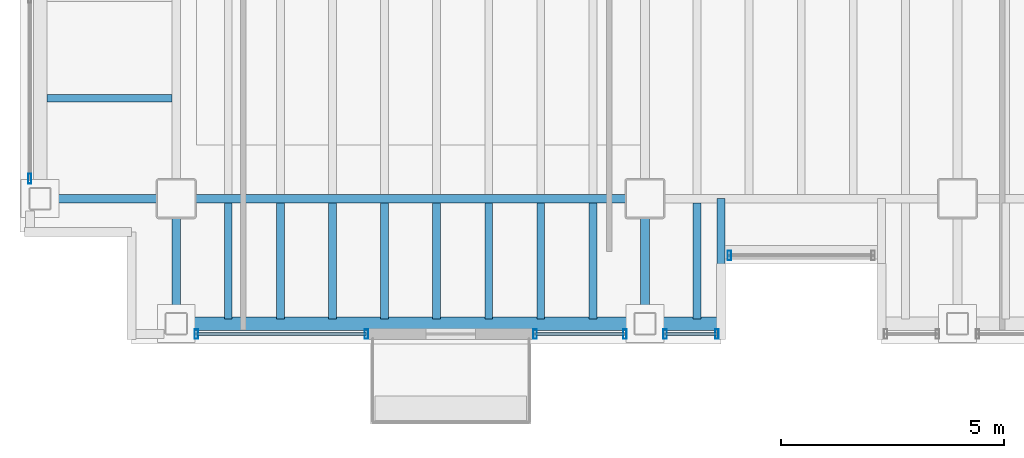
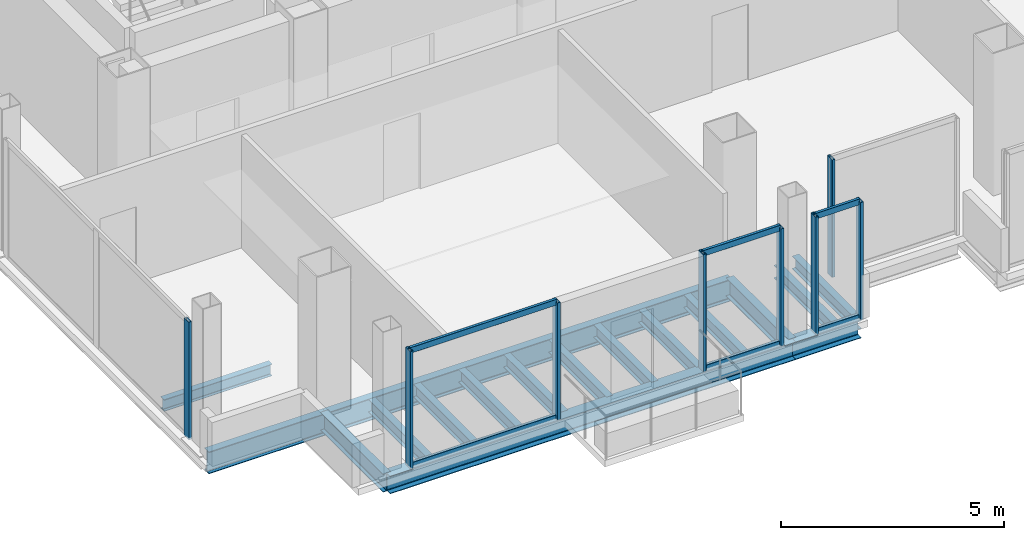
# One storey, part 2 of 15: 17 beams, 14 members, 5 elements without a shape of their own.
"""IFC4 building model written with IfcOpenShell, lengths in metres."""

from ifc_helpers import new_model, si_unit, direction, frame, origin, origin_2d, place, context, subcontext, project, spatial, hollow_rectangle, i_section, extrude, material, material_profile, profile_set, type_object, element, aggregate, save


model = new_model("IFC4")

# Units and contexts
model_context = context("Model", 3, precision=1e-05, world=origin(), true_north=direction((0.0, 1.0)))
body_context = subcontext(model_context, "Body", "Model", "MODEL_VIEW")
ifc_project = project(units=[si_unit("LENGTHUNIT", "METRE"), si_unit("AREAUNIT", "SQUARE_METRE"), si_unit("VOLUMEUNIT", "CUBIC_METRE"), si_unit("PLANEANGLEUNIT", "RADIAN"), si_unit("MASSUNIT", "GRAM", prefix="KILO")], contexts=[model_context])

# Site, building, storey
site_placement = place(None, origin())
site = spatial("IfcSite", under=ifc_project, at=site_placement, CompositionType="ELEMENT")
building_placement = place(site_placement, origin())
building = spatial("IfcBuilding", under=site, at=building_placement, Name="Noeulbin Bourse Tower", CompositionType="ELEMENT")
storey_placement = place(building_placement, frame((0.0, 0.0, 189.0)))
storey = spatial("IfcBuildingStorey", under=building, at=storey_placement, Name="L47", CompositionType="ELEMENT", Elevation=189.0)

# Beams
ifc_material_1 = material(Name="Steel S355", Category="steel")
ifc_material_profile_1 = material_profile(ifc_material_1, i_section(OverallWidth=0.199951171875, OverallDepth=0.5, WebThickness=0.010009765625, FlangeThickness=0.01611328125, FilletRadius=0.02001953125, at=origin_2d()), Name="H-500x200x10x16", Category="LoadBearing")
ifc_profile_set_1 = profile_set([ifc_material_profile_1], Name="Steel S355")
beam_type_1 = type_object("IfcBeamType", Name="BM-GRD-500", PredefinedType="USERDEFINED", material=ifc_profile_set_1)
for number, where, z_axis, x_axis, name in (
    (1, (13.5, 17.199951171875, -0.429931640625), (0.0, 1.0, 0.0), (-1.0, 0.0, 0.0), "Tower Primary Girder NS L47-1.1"),
    (2, (24.0, 17.199951171875, -0.429931640625), (0.0, 1.0, 0.0), (-1.0, 0.0, 0.0), "Tower Primary Girder NS L47-2.1"),
):
    element("IfcBeam", number, at=place(storey_placement, frame(where, z_axis=z_axis, x_axis=x_axis)), inside=storey, type_object=beam_type_1, Name=name, ObjectType="GIRDER", PredefinedType="USERDEFINED", context=body_context, shape_type="SweptSolid", body=[
        extrude(i_section(OverallWidth=0.199951171875, OverallDepth=0.5, WebThickness=0.010009765625, FlangeThickness=0.01611328125, FilletRadius=0.02001953125, at=origin_2d()), origin(), (0.0, 0.0, 1.0), 2.800048828125),
    ])
ifc_material_profile_2 = material_profile(ifc_material_1, i_section(OverallWidth=0.199951171875, OverallDepth=0.60009765625, WebThickness=0.010986328125, FlangeThickness=0.01708984375, FilletRadius=0.02197265625, at=origin_2d()), Name="H-600x200x11x17", Category="LoadBearing")
ifc_profile_set_2 = profile_set([ifc_material_profile_2], Name="Steel S355")
beam_type_2 = type_object("IfcBeamType", Name="BM-GRD-600", PredefinedType="USERDEFINED", material=ifc_profile_set_2)
beam_1_placement = place(storey_placement, frame((10.449951171875, 20.0, -0.47998046875), z_axis=(1.0, 0.0, 0.0), x_axis=(0.0, 1.0, 0.0)))
element("IfcBeam", 3, at=beam_1_placement, inside=storey, type_object=beam_type_2, Name="Tower Primary Girder EW L47-1.1", ObjectType="GIRDER", PredefinedType="USERDEFINED", context=body_context, shape_type="SweptSolid", body=[
    extrude(i_section(OverallWidth=0.199951171875, OverallDepth=0.60009765625, WebThickness=0.010986328125, FlangeThickness=0.01708984375, FilletRadius=0.02197265625, at=origin_2d()), origin(), (0.0, 0.0, 1.0), 3.050048828125),
])
beam_2_placement = place(storey_placement, frame((13.5, 20.0, -0.47998046875), z_axis=(1.0, 0.0, 0.0), x_axis=(0.0, 1.0, 0.0)))
element("IfcBeam", 4, at=beam_2_placement, inside=storey, type_object=beam_type_2, Name="Tower Primary Girder EW L47-1.2", ObjectType="GIRDER", PredefinedType="USERDEFINED", context=body_context, shape_type="SweptSolid", body=[
    extrude(i_section(OverallWidth=0.199951171875, OverallDepth=0.60009765625, WebThickness=0.010986328125, FlangeThickness=0.01708984375, FilletRadius=0.02197265625, at=origin_2d()), origin(), (0.0, 0.0, 1.0), 10.5),
])
ifc_material_profile_3 = material_profile(ifc_material_1, i_section(OverallWidth=0.159912109375, OverallDepth=0.320068359375, WebThickness=0.006591796875, FlangeThickness=0.010009765625, FilletRadius=0.012939453125, at=origin_2d()), Name="H-320x160x6.5x10", Category="LoadBearing")
ifc_profile_set_3 = profile_set([ifc_material_profile_3], Name="Steel S355")
beam_type_3 = type_object("IfcBeamType", Name="BM-JST-320", PredefinedType="JOIST", material=ifc_profile_set_3)
beam_3_placement = place(storey_placement, frame((10.60009765625, 22.25, -0.340087890625), z_axis=(1.0, 0.0, 0.0), x_axis=(0.0, 1.0, 0.0)))
element("IfcBeam", 5, at=beam_3_placement, inside=storey, type_object=beam_type_3, Name="Wing Composite Joist L47-W67", PredefinedType="JOIST", context=body_context, shape_type="SweptSolid", body=[
    extrude(i_section(OverallWidth=0.159912109375, OverallDepth=0.320068359375, WebThickness=0.006591796875, FlangeThickness=0.010009765625, FilletRadius=0.012939453125, at=origin_2d()), origin(), (0.0, 0.0, 1.0), 2.7998046875),
])
ifc_material_profile_4 = material_profile(ifc_material_1, i_section(OverallWidth=0.175048828125, OverallDepth=0.35009765625, WebThickness=0.007080078125, FlangeThickness=0.010986328125, FilletRadius=0.013916015625, at=origin_2d()), Name="H-350x175x7x11", Category="LoadBearing")
ifc_profile_set_4 = profile_set([ifc_material_profile_4], Name="Steel S355")
beam_type_4 = type_object("IfcBeamType", Name="BM-JST-350", PredefinedType="JOIST", material=ifc_profile_set_4)
beam_4_placement = place(storey_placement, frame((25.699951171875, 17.199951171875, -0.35498046875), z_axis=(0.0, 1.0, 0.0), x_axis=(-1.0, 0.0, 0.0)))
element("IfcBeam", 6, at=beam_4_placement, inside=storey, type_object=beam_type_4, Name="BM-L47-SRT-W", PredefinedType="JOIST", context=body_context, shape_type="SweptSolid", body=[
    extrude(i_section(OverallWidth=0.175048828125, OverallDepth=0.35009765625, WebThickness=0.007080078125, FlangeThickness=0.010986328125, FilletRadius=0.013916015625, at=origin_2d()), origin(), (0.0, 0.0, 1.0), 2.800048828125),
])
for number, where, z_axis, x_axis, name in (
    (7, (14.666748046875, 17.300048828125, -0.35498046875), (0.0, 1.0, 0.0), (-1.0, 0.0, 0.0), "Tower Composite Joist L47-01"),
    (8, (15.833251953125, 17.300048828125, -0.35498046875), (0.0, 1.0, 0.0), (-1.0, 0.0, 0.0), "Tower Composite Joist L47-04"),
    (9, (17.0, 17.300048828125, -0.35498046875), (0.0, 1.0, 0.0), (-1.0, 0.0, 0.0), "Tower Composite Joist L47-07"),
    (10, (18.166748046875, 17.300048828125, -0.35498046875), (0.0, 1.0, 0.0), (-1.0, 0.0, 0.0), "Tower Composite Joist L47-10"),
    (11, (19.333251953125, 17.300048828125, -0.35498046875), (0.0, 1.0, 0.0), (-1.0, 0.0, 0.0), "Tower Composite Joist L47-13"),
    (12, (20.5, 17.300048828125, -0.35498046875), (0.0, 1.0, 0.0), (-1.0, 0.0, 0.0), "Tower Composite Joist L47-16"),
    (13, (21.666748046875, 17.300048828125, -0.35498046875), (0.0, 1.0, 0.0), (-1.0, 0.0, 0.0), "Tower Composite Joist L47-19"),
    (14, (22.833251953125, 17.300048828125, -0.35498046875), (0.0, 1.0, 0.0), (-1.0, 0.0, 0.0), "Tower Composite Joist L47-22"),
    (15, (25.166748046875, 17.300048828125, -0.35498046875), (0.0, 1.0, 0.0), (-1.0, 0.0, 0.0), "Tower Composite Joist L47-25"),
):
    element("IfcBeam", number, at=place(storey_placement, frame(where, z_axis=z_axis, x_axis=x_axis)), inside=storey, type_object=beam_type_4, Name=name, PredefinedType="JOIST", context=body_context, shape_type="SweptSolid", body=[
        extrude(i_section(OverallWidth=0.175048828125, OverallDepth=0.35009765625, WebThickness=0.007080078125, FlangeThickness=0.010986328125, FilletRadius=0.013916015625, at=origin_2d()), origin(), (0.0, 0.0, 1.0), 2.599853515625),
    ])
ifc_material_profile_5 = material_profile(ifc_material_1, i_section(OverallWidth=0.300048828125, OverallDepth=0.488037109375, WebThickness=0.010986328125, FlangeThickness=0.01806640625, FilletRadius=0.02197265625, at=origin_2d()), Name="H-488x300x11x18", Category="LoadBearing")
ifc_profile_set_5 = profile_set([ifc_material_profile_5], Name="Steel S355")
beam_type_5 = type_object("IfcBeamType", Name="BM-SPN-488", PredefinedType="SPANDREL", material=ifc_profile_set_5)
beam_5_placement = place(storey_placement, frame((13.5, 17.199951171875, -0.424072265625), z_axis=(1.0, 0.0, 0.0), x_axis=(0.0, 1.0, 0.0)))
element("IfcBeam", 16, at=beam_5_placement, inside=storey, type_object=beam_type_5, Name="South Spandrel L47-1", PredefinedType="SPANDREL", context=body_context, shape_type="SweptSolid", body=[
    extrude(i_section(OverallWidth=0.300048828125, OverallDepth=0.488037109375, WebThickness=0.010986328125, FlangeThickness=0.01806640625, FilletRadius=0.02197265625, at=origin_2d()), origin(), (0.0, 0.0, 1.0), 10.5),
])
beam_6_placement = place(storey_placement, frame((24.0, 17.199951171875, -0.424072265625), z_axis=(1.0, 0.0, 0.0), x_axis=(0.0, 1.0, 0.0)))
element("IfcBeam", 17, at=beam_6_placement, inside=storey, type_object=beam_type_5, Name="South Spandrel L47-2A", PredefinedType="SPANDREL", context=body_context, shape_type="SweptSolid", body=[
    extrude(i_section(OverallWidth=0.300048828125, OverallDepth=0.488037109375, WebThickness=0.010986328125, FlangeThickness=0.01806640625, FilletRadius=0.02197265625, at=origin_2d()), origin(), (0.0, 0.0, 1.0), 1.699951171875),
])

# Curtain wall, member
ifc_material_2 = material(Name="Dark Tinted Triple Glazing", Category="glass")
curtain_wall_type = type_object("IfcCurtainWallType", Name="CW-SYS-3", PredefinedType="NOTDEFINED", material=ifc_material_2)
curtain_wall_1_placement = place(storey_placement, origin())
curtain_wall_1 = element("IfcCurtainWall", 18, at=curtain_wall_1_placement, inside=storey, type_object=curtain_wall_type, Name="Unitised Curtain Wall CW-L47-SREC", PredefinedType="NOTDEFINED")
ifc_material_3 = material(Name="Anodised Aluminium 6063-T6", Category="aluminium")
ifc_material_profile_6 = material_profile(ifc_material_3, hollow_rectangle(XDim=0.074951171875, YDim=0.219970703125, WallThickness=0.0048828125, InnerFilletRadius=0.00244140625, OuterFilletRadius=0.0048828125, at=origin_2d()), Name="ALU-MULL-75x220x5", Category="LoadBearing")
ifc_profile_set_6 = profile_set([ifc_material_profile_6], Name="Anodised Aluminium 6063-T6")
member_type_1 = type_object("IfcMemberType", Name="CW-SYS-3-MUL", PredefinedType="MULLION", material=ifc_profile_set_6)
member_1_placement = place(storey_placement, frame((25.889892578125, 18.72998046875, -0.02001953125), z_axis=(0.0, 0.0, 1.0), x_axis=(1.0, 0.0, 0.0)))
member_1 = element("IfcMember", 19, at=member_1_placement, type_object=member_type_1, Name="Curtain Wall Mullion CW-L47-SREC-M00", PredefinedType="MULLION", context=body_context, shape_type="SweptSolid", body=[
    extrude(hollow_rectangle(XDim=0.074951171875, YDim=0.219970703125, WallThickness=0.0048828125, InnerFilletRadius=0.00244140625, OuterFilletRadius=0.0048828125, at=origin_2d()), origin(), (0.0, 0.0, 1.0), 3.219970703125),
])
aggregate(curtain_wall_1, [member_1])

# Curtain wall, members
curtain_wall_2_placement = place(storey_placement, origin())
curtain_wall_2 = element("IfcCurtainWall", 20, at=curtain_wall_2_placement, inside=storey, type_object=curtain_wall_type, Name="Unitised Curtain Wall CW-L47-S1", PredefinedType="NOTDEFINED")
member_2_placement = place(storey_placement, frame((13.949951171875, 16.969970703125, -0.02001953125), z_axis=(0.0, 0.0, 1.0), x_axis=(1.0, 0.0, 0.0)))
member_2 = element("IfcMember", 21, at=member_2_placement, type_object=member_type_1, Name="Curtain Wall Mullion CW-L47-S1-M00", PredefinedType="MULLION", context=body_context, shape_type="SweptSolid", body=[
    extrude(hollow_rectangle(XDim=0.074951171875, YDim=0.219970703125, WallThickness=0.0048828125, InnerFilletRadius=0.00244140625, OuterFilletRadius=0.0048828125, at=origin_2d()), origin(), (0.0, 0.0, 1.0), 3.219970703125),
])
member_3_placement = place(storey_placement, frame((17.760009765625, 16.969970703125, -0.02001953125), z_axis=(0.0, 0.0, 1.0), x_axis=(1.0, 0.0, 0.0)))
member_3 = element("IfcMember", 22, at=member_3_placement, type_object=member_type_1, Name="Curtain Wall Mullion CW-L47-S1-M01", PredefinedType="MULLION", context=body_context, shape_type="SweptSolid", body=[
    extrude(hollow_rectangle(XDim=0.074951171875, YDim=0.219970703125, WallThickness=0.0048828125, InnerFilletRadius=0.00244140625, OuterFilletRadius=0.0048828125, at=origin_2d()), origin(), (0.0, 0.0, 1.0), 3.219970703125),
])

curtain_wall_3_placement = place(storey_placement, origin())
curtain_wall_3 = element("IfcCurtainWall", 23, at=curtain_wall_3_placement, inside=storey, type_object=curtain_wall_type, Name="Unitised Curtain Wall CW-L47-S2-S1", PredefinedType="NOTDEFINED")
member_4_placement = place(storey_placement, frame((21.5400390625, 16.969970703125, -0.02001953125), z_axis=(0.0, 0.0, 1.0), x_axis=(1.0, 0.0, 0.0)))
member_4 = element("IfcMember", 24, at=member_4_placement, type_object=member_type_1, Name="Curtain Wall Mullion CW-L47-S2-S1-M00", PredefinedType="MULLION", context=body_context, shape_type="SweptSolid", body=[
    extrude(hollow_rectangle(XDim=0.074951171875, YDim=0.219970703125, WallThickness=0.0048828125, InnerFilletRadius=0.00244140625, OuterFilletRadius=0.0048828125, at=origin_2d()), origin(), (0.0, 0.0, 1.0), 3.219970703125),
])
member_5_placement = place(storey_placement, frame((23.550048828125, 16.969970703125, -0.02001953125), z_axis=(0.0, 0.0, 1.0), x_axis=(1.0, 0.0, 0.0)))
member_5 = element("IfcMember", 25, at=member_5_placement, type_object=member_type_1, Name="Curtain Wall Mullion CW-L47-S2-S1-M01", PredefinedType="MULLION", context=body_context, shape_type="SweptSolid", body=[
    extrude(hollow_rectangle(XDim=0.074951171875, YDim=0.219970703125, WallThickness=0.0048828125, InnerFilletRadius=0.00244140625, OuterFilletRadius=0.0048828125, at=origin_2d()), origin(), (0.0, 0.0, 1.0), 3.219970703125),
])

curtain_wall_4_placement = place(storey_placement, origin())
curtain_wall_4 = element("IfcCurtainWall", 26, at=curtain_wall_4_placement, inside=storey, type_object=curtain_wall_type, Name="Unitised Curtain Wall CW-L47-S2-S2", PredefinedType="NOTDEFINED")
member_6_placement = place(storey_placement, frame((24.449951171875, 16.969970703125, -0.02001953125), z_axis=(0.0, 0.0, 1.0), x_axis=(1.0, 0.0, 0.0)))
member_6 = element("IfcMember", 27, at=member_6_placement, type_object=member_type_1, Name="Curtain Wall Mullion CW-L47-S2-S2-M00", PredefinedType="MULLION", context=body_context, shape_type="SweptSolid", body=[
    extrude(hollow_rectangle(XDim=0.074951171875, YDim=0.219970703125, WallThickness=0.0048828125, InnerFilletRadius=0.00244140625, OuterFilletRadius=0.0048828125, at=origin_2d()), origin(), (0.0, 0.0, 1.0), 3.219970703125),
])
member_7_placement = place(storey_placement, frame((25.610107421875, 16.969970703125, -0.02001953125), z_axis=(0.0, 0.0, 1.0), x_axis=(1.0, 0.0, 0.0)))
member_7 = element("IfcMember", 28, at=member_7_placement, type_object=member_type_1, Name="Curtain Wall Mullion CW-L47-S2-S2-M01", PredefinedType="MULLION", context=body_context, shape_type="SweptSolid", body=[
    extrude(hollow_rectangle(XDim=0.074951171875, YDim=0.219970703125, WallThickness=0.0048828125, InnerFilletRadius=0.00244140625, OuterFilletRadius=0.0048828125, at=origin_2d()), origin(), (0.0, 0.0, 1.0), 3.219970703125),
])

# Curtain wall, member
curtain_wall_5_placement = place(storey_placement, origin())
curtain_wall_5 = element("IfcCurtainWall", 29, at=curtain_wall_5_placement, inside=storey, type_object=curtain_wall_type, Name="Unitised Curtain Wall CW-L47-W-S1", PredefinedType="NOTDEFINED")
member_8_placement = place(storey_placement, frame((10.219970703125, 20.449951171875, -0.02001953125), z_axis=(0.0, 0.0, 1.0), x_axis=(1.0, 0.0, 0.0)))
member_8 = element("IfcMember", 30, at=member_8_placement, type_object=member_type_1, Name="Curtain Wall Mullion CW-L47-W-S1-M00", PredefinedType="MULLION", context=body_context, shape_type="SweptSolid", body=[
    extrude(hollow_rectangle(XDim=0.074951171875, YDim=0.219970703125, WallThickness=0.0048828125, InnerFilletRadius=0.00244140625, OuterFilletRadius=0.0048828125, at=origin_2d()), origin(), (0.0, 0.0, 1.0), 3.219970703125),
])
aggregate(curtain_wall_5, [member_8])

# Member
ifc_material_profile_7 = material_profile(ifc_material_3, hollow_rectangle(XDim=0.074951171875, YDim=0.159912109375, WallThickness=0.0048828125, InnerFilletRadius=0.00244140625, OuterFilletRadius=0.0048828125, at=origin_2d()), Name="ALU-TRAN-75x160x5", Category="LoadBearing")
ifc_profile_set_7 = profile_set([ifc_material_profile_7], Name="Anodised Aluminium 6063-T6")
member_type_2 = type_object("IfcMemberType", Name="CW-SYS-3-TRN", PredefinedType="USERDEFINED", material=ifc_profile_set_7)
member_9_placement = place(storey_placement, frame((13.9599609375, 16.969970703125, 0.010009765625), z_axis=(1.0, 0.0, 0.0), x_axis=(0.0, 1.0, 0.0)))
member_9 = element("IfcMember", 31, at=member_9_placement, type_object=member_type_2, Name="Curtain Wall Transom CW-L47-S1-T00", ObjectType="TRANSOM", PredefinedType="USERDEFINED", context=body_context, shape_type="SweptSolid", body=[
    extrude(hollow_rectangle(XDim=0.074951171875, YDim=0.159912109375, WallThickness=0.0048828125, InnerFilletRadius=0.00244140625, OuterFilletRadius=0.0048828125, at=origin_2d()), origin(), (0.0, 0.0, 1.0), 3.7900390625),
])

member_10_placement = place(storey_placement, frame((13.9599609375, 16.969970703125, 3.169921875), z_axis=(1.0, 0.0, 0.0), x_axis=(0.0, 1.0, 0.0)))
member_10 = element("IfcMember", 32, at=member_10_placement, type_object=member_type_2, Name="Curtain Wall Transom CW-L47-S1-T01", ObjectType="TRANSOM", PredefinedType="USERDEFINED", context=body_context, shape_type="SweptSolid", body=[
    extrude(hollow_rectangle(XDim=0.074951171875, YDim=0.159912109375, WallThickness=0.0048828125, InnerFilletRadius=0.00244140625, OuterFilletRadius=0.0048828125, at=origin_2d()), origin(), (0.0, 0.0, 1.0), 3.7900390625),
])

aggregate(curtain_wall_2, [member_2, member_3, member_9, member_10])

member_11_placement = place(storey_placement, frame((21.550048828125, 16.969970703125, 0.010009765625), z_axis=(1.0, 0.0, 0.0), x_axis=(0.0, 1.0, 0.0)))
member_11 = element("IfcMember", 33, at=member_11_placement, type_object=member_type_2, Name="Curtain Wall Transom CW-L47-S2-S1-T00", ObjectType="TRANSOM", PredefinedType="USERDEFINED", context=body_context, shape_type="SweptSolid", body=[
    extrude(hollow_rectangle(XDim=0.074951171875, YDim=0.159912109375, WallThickness=0.0048828125, InnerFilletRadius=0.00244140625, OuterFilletRadius=0.0048828125, at=origin_2d()), origin(), (0.0, 0.0, 1.0), 1.989990234375),
])

member_12_placement = place(storey_placement, frame((21.550048828125, 16.969970703125, 3.169921875), z_axis=(1.0, 0.0, 0.0), x_axis=(0.0, 1.0, 0.0)))
member_12 = element("IfcMember", 34, at=member_12_placement, type_object=member_type_2, Name="Curtain Wall Transom CW-L47-S2-S1-T01", ObjectType="TRANSOM", PredefinedType="USERDEFINED", context=body_context, shape_type="SweptSolid", body=[
    extrude(hollow_rectangle(XDim=0.074951171875, YDim=0.159912109375, WallThickness=0.0048828125, InnerFilletRadius=0.00244140625, OuterFilletRadius=0.0048828125, at=origin_2d()), origin(), (0.0, 0.0, 1.0), 1.989990234375),
])

aggregate(curtain_wall_3, [member_4, member_5, member_11, member_12])

member_13_placement = place(storey_placement, frame((24.4599609375, 16.969970703125, 0.010009765625), z_axis=(1.0, 0.0, 0.0), x_axis=(0.0, 1.0, 0.0)))
member_13 = element("IfcMember", 35, at=member_13_placement, type_object=member_type_2, Name="Curtain Wall Transom CW-L47-S2-S2-T00", ObjectType="TRANSOM", PredefinedType="USERDEFINED", context=body_context, shape_type="SweptSolid", body=[
    extrude(hollow_rectangle(XDim=0.074951171875, YDim=0.159912109375, WallThickness=0.0048828125, InnerFilletRadius=0.00244140625, OuterFilletRadius=0.0048828125, at=origin_2d()), origin(), (0.0, 0.0, 1.0), 1.14013671875),
])

member_14_placement = place(storey_placement, frame((24.4599609375, 16.969970703125, 3.169921875), z_axis=(1.0, 0.0, 0.0), x_axis=(0.0, 1.0, 0.0)))
member_14 = element("IfcMember", 36, at=member_14_placement, type_object=member_type_2, Name="Curtain Wall Transom CW-L47-S2-S2-T01", ObjectType="TRANSOM", PredefinedType="USERDEFINED", context=body_context, shape_type="SweptSolid", body=[
    extrude(hollow_rectangle(XDim=0.074951171875, YDim=0.159912109375, WallThickness=0.0048828125, InnerFilletRadius=0.00244140625, OuterFilletRadius=0.0048828125, at=origin_2d()), origin(), (0.0, 0.0, 1.0), 1.14013671875),
])

aggregate(curtain_wall_4, [member_6, member_7, member_13, member_14])

save(model, "model.ifc")
